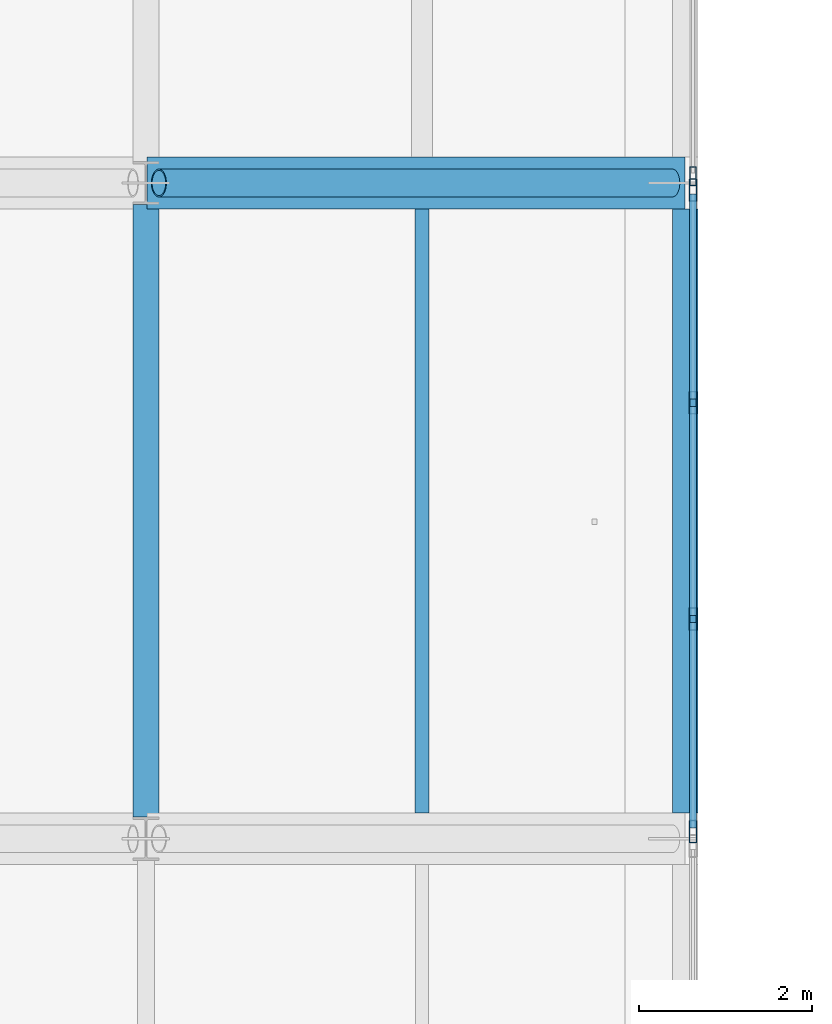
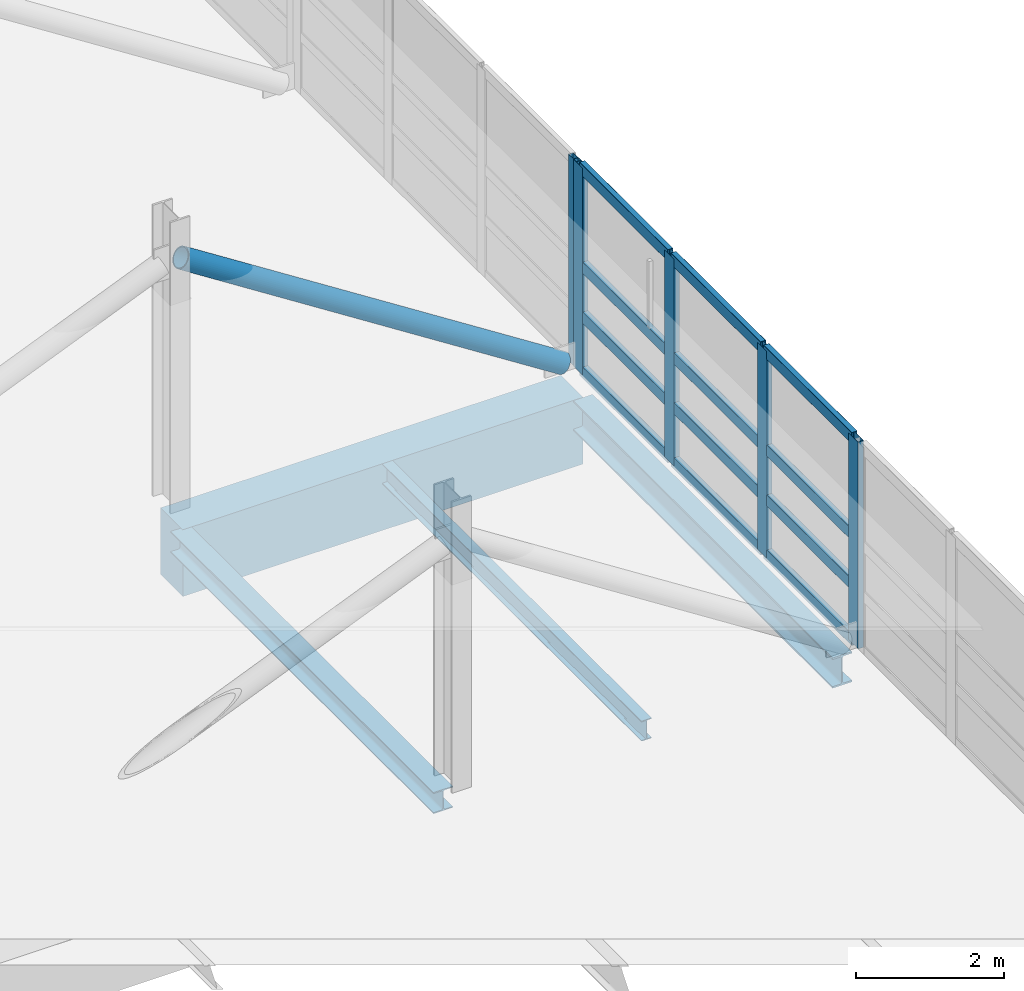
# One storey, part 17 of 141: 18 members, 4 beams, 2 elements without a shape of their own.
"""IFC4 building model written with IfcOpenShell, lengths in metres."""

from ifc_helpers import new_model, si_unit, direction, frame, origin, origin_2d, place, context, subcontext, project, spatial, rectangle, hollow_rectangle, hollow_circle, i_section, extrude, material, material_profile, profile_set, type_object, element, aggregate, save


model = new_model("IFC4")

# Units and contexts
model_context = context("Model", 3, precision=1e-05, world=origin(), true_north=direction((0.0, 1.0)))
body_context = subcontext(model_context, "Body", "Model", "MODEL_VIEW")
ifc_project = project(units=[si_unit("LENGTHUNIT", "METRE"), si_unit("AREAUNIT", "SQUARE_METRE"), si_unit("VOLUMEUNIT", "CUBIC_METRE"), si_unit("PLANEANGLEUNIT", "RADIAN"), si_unit("MASSUNIT", "GRAM", prefix="KILO")], contexts=[model_context])

# Site, building, storey
site_placement = place(None, origin())
site = spatial("IfcSite", under=ifc_project, at=site_placement, CompositionType="ELEMENT")
building_placement = place(site_placement, origin())
building = spatial("IfcBuilding", under=site, at=building_placement, Name="Khelvaren Railside Concert Hall", CompositionType="ELEMENT")
storey_placement = place(building_placement, frame((0.0, 0.0, 10.199951171875)))
storey = spatial("IfcBuildingStorey", under=building, at=storey_placement, Name="L02", CompositionType="ELEMENT", Elevation=10.199951171875)

# Beam
ifc_material_1 = material(Name="Steel S355", Category="steel")
ifc_material_profile_1 = material_profile(ifc_material_1, i_section(OverallWidth=0.300048828125, OverallDepth=0.35009765625, WebThickness=0.010009765625, FlangeThickness=0.017578125, FilletRadius=0.027099609375, at=origin_2d()), Name="HEA 360")
ifc_profile_set_1 = profile_set([ifc_material_profile_1], Name="Steel S355")
beam_type_1 = type_object("IfcBeamType", Name="BM73", PredefinedType="BEAM", material=ifc_profile_set_1)
beam_1_placement = place(storey_placement, frame((49.60009765625, 23.050048828125, -0.46484375), z_axis=(0.0, 1.0, 0.0), x_axis=(-1.0, 0.0, 0.0)))
element("IfcBeam", 1, at=beam_1_placement, inside=storey, type_object=beam_type_1, Name="V1 L02 Beam Y7.4", PredefinedType="BEAM", context=body_context, shape_type="SweptSolid", body=[
    extrude(i_section(OverallWidth=0.300048828125, OverallDepth=0.35009765625, WebThickness=0.010009765625, FlangeThickness=0.017578125, FilletRadius=0.027099609375, at=origin_2d()), origin(), (0.0, 0.0, 1.0), 7.099853515625),
])

# Member
ifc_material_profile_2 = material_profile(ifc_material_1, hollow_circle(Radius=0.161865234375, WallThickness=0.01611328125, at=origin_2d()), Name="CHS 323.9x16")
ifc_profile_set_2 = profile_set([ifc_material_profile_2], Name="Steel S355")
member_type_1 = type_object("IfcMemberType", Name="BR78", PredefinedType="BRACE", material=ifc_profile_set_2)
member_1_placement = place(storey_placement, frame((49.75, 30.39990234375, 3.969970703125), z_axis=(0.841509273877, 0.0, -0.540242669528), x_axis=(0.0, 1.0, 0.0)))
element("IfcMember", 2, at=member_1_placement, inside=storey, type_object=member_type_1, Name="V1 L02 Plaza Cantilever Truss Diagonal 5A", PredefinedType="BRACE", context=body_context, shape_type="SweptSolid", body=[
    extrude(hollow_circle(Radius=0.161865234375, WallThickness=0.01611328125, at=origin_2d()), origin(), (0.0, 0.0, 1.0), 7.070556640625),
])

# Curtain wall, member
ifc_material_2 = material(Name="Triple-glazed solar-control glass", Category="glass")
curtain_wall_type_1 = type_object("IfcCurtainWallType", Name="CW80", PredefinedType="USERDEFINED", material=ifc_material_2)
curtain_wall_1_placement = place(storey_placement, origin())
curtain_wall_1 = element("IfcCurtainWall", 3, at=curtain_wall_1_placement, inside=storey, type_object=curtain_wall_type_1, Name="Unitised Curtain Wall CW-V1-L02-E-30", ObjectType="UNITISED CURTAIN WALL", PredefinedType="USERDEFINED")
ifc_material_3 = material(Name="Anodised architectural aluminium 6063-T6", Category="aluminium")
ifc_material_profile_3 = material_profile(ifc_material_3, hollow_rectangle(XDim=0.074951171875, YDim=0.219970703125, WallThickness=0.0048828125, InnerFilletRadius=0.0029296875, OuterFilletRadius=0.0048828125, at=origin_2d()), Name="CWM 75x220x5")
ifc_profile_set_3 = profile_set([ifc_material_profile_3], Name="Anodised architectural aluminium 6063-T6")
member_type_2 = type_object("IfcMemberType", Name="CWM13", PredefinedType="MULLION", material=ifc_profile_set_3)
member_2_placement = place(storey_placement, frame((55.93994140625, 30.4775390625, 0.0), z_axis=(0.0, 0.0, 1.0), x_axis=(1.0, 0.0, 0.0)))
member_2 = element("IfcMember", 4, at=member_2_placement, type_object=member_type_2, Name="CW80 mullion 4", PredefinedType="MULLION", context=body_context, shape_type="SweptSolid", body=[
    extrude(hollow_rectangle(XDim=0.074951171875, YDim=0.219970703125, WallThickness=0.0048828125, InnerFilletRadius=0.0029296875, OuterFilletRadius=0.0048828125, at=origin_2d()), origin(), (0.0, 0.0, 1.0), 3.41015625),
])
aggregate(curtain_wall_1, [member_2])

# Curtain wall, members
ifc_material_4 = material(Name="Acoustic laminated crystal facade glass", Category="glass")
curtain_wall_type_2 = type_object("IfcCurtainWallType", Name="CW15", PredefinedType="USERDEFINED", material=ifc_material_4)
curtain_wall_2_placement = place(storey_placement, origin())
curtain_wall_2 = element("IfcCurtainWall", 5, at=curtain_wall_2_placement, inside=storey, type_object=curtain_wall_type_2, Name="Unitised Curtain Wall CW-V1-L02-E-23", ObjectType="UNITISED CURTAIN WALL", PredefinedType="USERDEFINED")
ifc_material_profile_4 = material_profile(ifc_material_3, hollow_rectangle(XDim=0.0849609375, YDim=0.260009765625, WallThickness=0.0048828125, InnerFilletRadius=0.0029296875, OuterFilletRadius=0.0048828125, at=origin_2d()), Name="CWM 85x260x5")
ifc_profile_set_4 = profile_set([ifc_material_profile_4], Name="Anodised architectural aluminium 6063-T6")
member_type_3 = type_object("IfcMemberType", Name="CWM40", PredefinedType="MULLION", material=ifc_profile_set_4)
member_3_placement = place(storey_placement, frame((55.93994140625, 30.3173828125, 0.0), z_axis=(0.0, 0.0, 1.0), x_axis=(1.0, 0.0, 0.0)))
member_3 = element("IfcMember", 6, at=member_3_placement, type_object=member_type_3, Name="CW15 mullion 1", PredefinedType="MULLION", context=body_context, shape_type="SweptSolid", body=[
    extrude(hollow_rectangle(XDim=0.0849609375, YDim=0.260009765625, WallThickness=0.0048828125, InnerFilletRadius=0.0029296875, OuterFilletRadius=0.0048828125, at=origin_2d()), origin(), (0.0, 0.0, 1.0), 3.41015625),
])
member_4_placement = place(storey_placement, frame((55.93994140625, 27.853271484375, 0.0), z_axis=(0.0, 0.0, 1.0), x_axis=(1.0, 0.0, 0.0)))
member_4 = element("IfcMember", 7, at=member_4_placement, type_object=member_type_3, Name="CW15 mullion 2", PredefinedType="MULLION", context=body_context, shape_type="SweptSolid", body=[
    extrude(hollow_rectangle(XDim=0.0849609375, YDim=0.260009765625, WallThickness=0.0048828125, InnerFilletRadius=0.0029296875, OuterFilletRadius=0.0048828125, at=origin_2d()), origin(), (0.0, 0.0, 1.0), 3.41015625),
])
member_5_placement = place(storey_placement, frame((55.93994140625, 25.3466796875, 0.0), z_axis=(0.0, 0.0, 1.0), x_axis=(1.0, 0.0, 0.0)))
member_5 = element("IfcMember", 8, at=member_5_placement, type_object=member_type_3, Name="CW15 mullion 3", PredefinedType="MULLION", context=body_context, shape_type="SweptSolid", body=[
    extrude(hollow_rectangle(XDim=0.0849609375, YDim=0.260009765625, WallThickness=0.0048828125, InnerFilletRadius=0.0029296875, OuterFilletRadius=0.0048828125, at=origin_2d()), origin(), (0.0, 0.0, 1.0), 3.41015625),
])
member_6_placement = place(storey_placement, frame((55.93994140625, 22.882568359375, 0.0), z_axis=(0.0, 0.0, 1.0), x_axis=(1.0, 0.0, 0.0)))
member_6 = element("IfcMember", 9, at=member_6_placement, type_object=member_type_3, Name="CW15 mullion 4", PredefinedType="MULLION", context=body_context, shape_type="SweptSolid", body=[
    extrude(hollow_rectangle(XDim=0.0849609375, YDim=0.260009765625, WallThickness=0.0048828125, InnerFilletRadius=0.0029296875, OuterFilletRadius=0.0048828125, at=origin_2d()), origin(), (0.0, 0.0, 1.0), 3.41015625),
])
ifc_material_profile_5 = material_profile(ifc_material_3, hollow_rectangle(XDim=0.0849609375, YDim=0.18994140625, WallThickness=0.0048828125, InnerFilletRadius=0.0029296875, OuterFilletRadius=0.0048828125, at=origin_2d()), Name="CWT 85x190x5")
ifc_profile_set_5 = profile_set([ifc_material_profile_5], Name="Anodised architectural aluminium 6063-T6")
member_type_4 = type_object("IfcMemberType", Name="CWT31", PredefinedType="USERDEFINED", material=ifc_profile_set_5)
member_7_placement = place(storey_placement, frame((55.93994140625, 30.27490234375, 0.04248046875), z_axis=(0.0, -1.0, 0.0), x_axis=(1.0, 0.0, 0.0)))
member_7 = element("IfcMember", 10, at=member_7_placement, type_object=member_type_4, Name="CW15 transom 1.1", ObjectType="TRANSOM", PredefinedType="USERDEFINED", context=body_context, shape_type="SweptSolid", body=[
    extrude(hollow_rectangle(XDim=0.0849609375, YDim=0.18994140625, WallThickness=0.0048828125, InnerFilletRadius=0.0029296875, OuterFilletRadius=0.0048828125, at=origin_2d()), origin(), (0.0, 0.0, 1.0), 2.379150390625),
])
member_8_placement = place(storey_placement, frame((55.93994140625, 30.27490234375, 0.949951171875), z_axis=(0.0, -1.0, 0.0), x_axis=(1.0, 0.0, 0.0)))
member_8 = element("IfcMember", 11, at=member_8_placement, type_object=member_type_4, Name="CW15 transom 1.2", ObjectType="TRANSOM", PredefinedType="USERDEFINED", context=body_context, shape_type="SweptSolid", body=[
    extrude(hollow_rectangle(XDim=0.0849609375, YDim=0.18994140625, WallThickness=0.0048828125, InnerFilletRadius=0.0029296875, OuterFilletRadius=0.0048828125, at=origin_2d()), origin(), (0.0, 0.0, 1.0), 2.379150390625),
])
member_9_placement = place(storey_placement, frame((55.93994140625, 30.27490234375, 1.773193359375), z_axis=(0.0, -1.0, 0.0), x_axis=(1.0, 0.0, 0.0)))
member_9 = element("IfcMember", 12, at=member_9_placement, type_object=member_type_4, Name="CW15 transom 1.3", ObjectType="TRANSOM", PredefinedType="USERDEFINED", context=body_context, shape_type="SweptSolid", body=[
    extrude(hollow_rectangle(XDim=0.0849609375, YDim=0.18994140625, WallThickness=0.0048828125, InnerFilletRadius=0.0029296875, OuterFilletRadius=0.0048828125, at=origin_2d()), origin(), (0.0, 0.0, 1.0), 2.379150390625),
])
member_10_placement = place(storey_placement, frame((55.93994140625, 30.27490234375, 3.367431640625), z_axis=(0.0, -1.0, 0.0), x_axis=(1.0, 0.0, 0.0)))
member_10 = element("IfcMember", 13, at=member_10_placement, type_object=member_type_4, Name="CW15 transom 1.4", ObjectType="TRANSOM", PredefinedType="USERDEFINED", context=body_context, shape_type="SweptSolid", body=[
    extrude(hollow_rectangle(XDim=0.0849609375, YDim=0.18994140625, WallThickness=0.0048828125, InnerFilletRadius=0.0029296875, OuterFilletRadius=0.0048828125, at=origin_2d()), origin(), (0.0, 0.0, 1.0), 2.379150390625),
])
member_11_placement = place(storey_placement, frame((55.93994140625, 27.810791015625, 0.04248046875), z_axis=(0.0, -1.0, 0.0), x_axis=(1.0, 0.0, 0.0)))
member_11 = element("IfcMember", 14, at=member_11_placement, type_object=member_type_4, Name="CW15 transom 2.1", ObjectType="TRANSOM", PredefinedType="USERDEFINED", context=body_context, shape_type="SweptSolid", body=[
    extrude(hollow_rectangle(XDim=0.0849609375, YDim=0.18994140625, WallThickness=0.0048828125, InnerFilletRadius=0.0029296875, OuterFilletRadius=0.0048828125, at=origin_2d()), origin(), (0.0, 0.0, 1.0), 2.421630859375),
])
member_12_placement = place(storey_placement, frame((55.93994140625, 27.810791015625, 0.949951171875), z_axis=(0.0, -1.0, 0.0), x_axis=(1.0, 0.0, 0.0)))
member_12 = element("IfcMember", 15, at=member_12_placement, type_object=member_type_4, Name="CW15 transom 2.2", ObjectType="TRANSOM", PredefinedType="USERDEFINED", context=body_context, shape_type="SweptSolid", body=[
    extrude(hollow_rectangle(XDim=0.0849609375, YDim=0.18994140625, WallThickness=0.0048828125, InnerFilletRadius=0.0029296875, OuterFilletRadius=0.0048828125, at=origin_2d()), origin(), (0.0, 0.0, 1.0), 2.421630859375),
])
member_13_placement = place(storey_placement, frame((55.93994140625, 27.810791015625, 1.773193359375), z_axis=(0.0, -1.0, 0.0), x_axis=(1.0, 0.0, 0.0)))
member_13 = element("IfcMember", 16, at=member_13_placement, type_object=member_type_4, Name="CW15 transom 2.3", ObjectType="TRANSOM", PredefinedType="USERDEFINED", context=body_context, shape_type="SweptSolid", body=[
    extrude(hollow_rectangle(XDim=0.0849609375, YDim=0.18994140625, WallThickness=0.0048828125, InnerFilletRadius=0.0029296875, OuterFilletRadius=0.0048828125, at=origin_2d()), origin(), (0.0, 0.0, 1.0), 2.421630859375),
])
member_14_placement = place(storey_placement, frame((55.93994140625, 27.810791015625, 3.367431640625), z_axis=(0.0, -1.0, 0.0), x_axis=(1.0, 0.0, 0.0)))
member_14 = element("IfcMember", 17, at=member_14_placement, type_object=member_type_4, Name="CW15 transom 2.4", ObjectType="TRANSOM", PredefinedType="USERDEFINED", context=body_context, shape_type="SweptSolid", body=[
    extrude(hollow_rectangle(XDim=0.0849609375, YDim=0.18994140625, WallThickness=0.0048828125, InnerFilletRadius=0.0029296875, OuterFilletRadius=0.0048828125, at=origin_2d()), origin(), (0.0, 0.0, 1.0), 2.421630859375),
])
member_15_placement = place(storey_placement, frame((55.93994140625, 25.30419921875, 0.04248046875), z_axis=(0.0, -1.0, 0.0), x_axis=(1.0, 0.0, 0.0)))
member_15 = element("IfcMember", 18, at=member_15_placement, type_object=member_type_4, Name="CW15 transom 3.1", ObjectType="TRANSOM", PredefinedType="USERDEFINED", context=body_context, shape_type="SweptSolid", body=[
    extrude(hollow_rectangle(XDim=0.0849609375, YDim=0.18994140625, WallThickness=0.0048828125, InnerFilletRadius=0.0029296875, OuterFilletRadius=0.0048828125, at=origin_2d()), origin(), (0.0, 0.0, 1.0), 2.379150390625),
])
member_16_placement = place(storey_placement, frame((55.93994140625, 25.30419921875, 0.949951171875), z_axis=(0.0, -1.0, 0.0), x_axis=(1.0, 0.0, 0.0)))
member_16 = element("IfcMember", 19, at=member_16_placement, type_object=member_type_4, Name="CW15 transom 3.2", ObjectType="TRANSOM", PredefinedType="USERDEFINED", context=body_context, shape_type="SweptSolid", body=[
    extrude(hollow_rectangle(XDim=0.0849609375, YDim=0.18994140625, WallThickness=0.0048828125, InnerFilletRadius=0.0029296875, OuterFilletRadius=0.0048828125, at=origin_2d()), origin(), (0.0, 0.0, 1.0), 2.379150390625),
])
member_17_placement = place(storey_placement, frame((55.93994140625, 25.30419921875, 1.773193359375), z_axis=(0.0, -1.0, 0.0), x_axis=(1.0, 0.0, 0.0)))
member_17 = element("IfcMember", 20, at=member_17_placement, type_object=member_type_4, Name="CW15 transom 3.3", ObjectType="TRANSOM", PredefinedType="USERDEFINED", context=body_context, shape_type="SweptSolid", body=[
    extrude(hollow_rectangle(XDim=0.0849609375, YDim=0.18994140625, WallThickness=0.0048828125, InnerFilletRadius=0.0029296875, OuterFilletRadius=0.0048828125, at=origin_2d()), origin(), (0.0, 0.0, 1.0), 2.379150390625),
])
member_18_placement = place(storey_placement, frame((55.93994140625, 25.30419921875, 3.367431640625), z_axis=(0.0, -1.0, 0.0), x_axis=(1.0, 0.0, 0.0)))
member_18 = element("IfcMember", 21, at=member_18_placement, type_object=member_type_4, Name="CW15 transom 3.4", ObjectType="TRANSOM", PredefinedType="USERDEFINED", context=body_context, shape_type="SweptSolid", body=[
    extrude(hollow_rectangle(XDim=0.0849609375, YDim=0.18994140625, WallThickness=0.0048828125, InnerFilletRadius=0.0029296875, OuterFilletRadius=0.0048828125, at=origin_2d()), origin(), (0.0, 0.0, 1.0), 2.379150390625),
])
aggregate(curtain_wall_2, [member_3, member_4, member_5, member_6, member_7, member_8, member_9, member_10, member_11, member_12, member_13, member_14, member_15, member_16, member_17, member_18])

# Beams
ifc_material_5 = material(Name="Concrete C40/50", Category="concrete")
ifc_material_profile_6 = material_profile(ifc_material_5, rectangle(XDim=0.60009765625, YDim=1.10009765625, at=origin_2d()), Name="RCB 600x1100")
ifc_profile_set_6 = profile_set([ifc_material_profile_6], Name="Concrete C40/50")
beam_type_2 = type_object("IfcBeamType", Name="GR15", PredefinedType="T_BEAM", material=ifc_profile_set_6)
beam_2_placement = place(storey_placement, frame((49.610107421875, 30.39990234375, -0.83984375), z_axis=(1.0, 0.0, 0.0), x_axis=(0.0, 1.0, 0.0)))
element("IfcBeam", 22, at=beam_2_placement, inside=storey, type_object=beam_type_2, Name="V1 L02 Arrival Cantilever Girder 5", PredefinedType="T_BEAM", context=body_context, shape_type="SweptSolid", body=[
    extrude(rectangle(XDim=0.60009765625, YDim=1.10009765625, at=origin_2d()), origin(), (0.0, 0.0, 1.0), 6.239990234375),
])
ifc_material_profile_7 = material_profile(ifc_material_1, i_section(OverallWidth=0.159912109375, OverallDepth=0.330078125, WebThickness=0.007568359375, FlangeThickness=0.011474609375, FilletRadius=0.01806640625, at=origin_2d()), Name="IPE 330")
ifc_profile_set_7 = profile_set([ifc_material_profile_7], Name="Steel S355")
beam_type_3 = type_object("IfcBeamType", Name="JS65", PredefinedType="JOIST", material=ifc_profile_set_7)
beam_3_placement = place(storey_placement, frame((52.800048828125, 23.10009765625, -0.454833984375), z_axis=(0.0, 1.0, 0.0), x_axis=(-1.0, 0.0, 0.0)))
element("IfcBeam", 23, at=beam_3_placement, inside=storey, type_object=beam_type_3, Name="V1 L02 Secondary Joist 7.4", PredefinedType="JOIST", context=body_context, shape_type="SweptSolid", body=[
    extrude(i_section(OverallWidth=0.159912109375, OverallDepth=0.330078125, WebThickness=0.007568359375, FlangeThickness=0.011474609375, FilletRadius=0.01806640625, at=origin_2d()), origin(), (0.0, 0.0, 1.0), 7.0),
])
ifc_material_profile_8 = material_profile(ifc_material_1, i_section(OverallWidth=0.300048828125, OverallDepth=0.5, WebThickness=0.014404296875, FlangeThickness=0.028076171875, FilletRadius=0.027099609375, at=origin_2d()), Name="HEB 500")
ifc_profile_set_8 = profile_set([ifc_material_profile_8], Name="Steel S355")
beam_type_4 = type_object("IfcBeamType", Name="SP12", PredefinedType="SPANDREL", material=ifc_profile_set_8)
beam_4_placement = place(storey_placement, frame((55.85009765625, 23.10009765625, -0.5400390625), z_axis=(0.0, 1.0, 0.0), x_axis=(-1.0, 0.0, 0.0)))
element("IfcBeam", 24, at=beam_4_placement, inside=storey, type_object=beam_type_4, Name="V1 L02 Cantilever Tip Spandrel Y4", PredefinedType="SPANDREL", context=body_context, shape_type="SweptSolid", body=[
    extrude(i_section(OverallWidth=0.300048828125, OverallDepth=0.5, WebThickness=0.014404296875, FlangeThickness=0.028076171875, FilletRadius=0.027099609375, at=origin_2d()), origin(), (0.0, 0.0, 1.0), 7.0),
])

save(model, "model.ifc")
